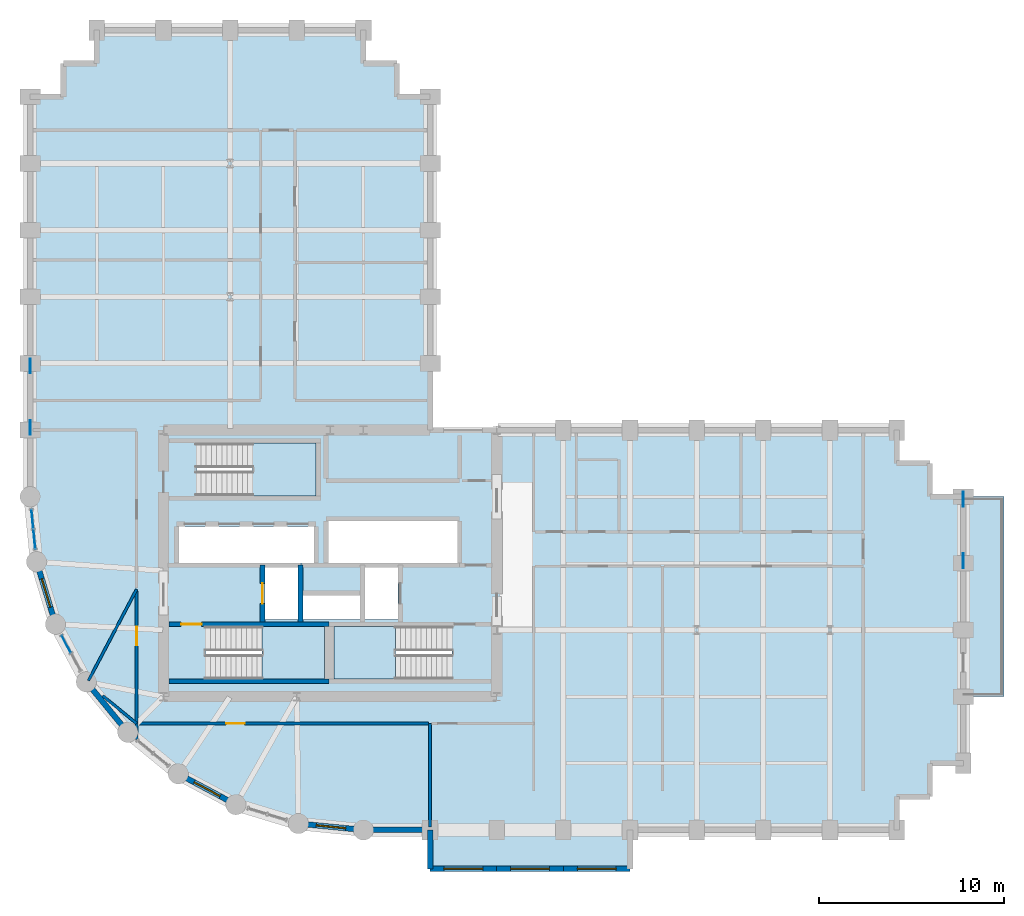
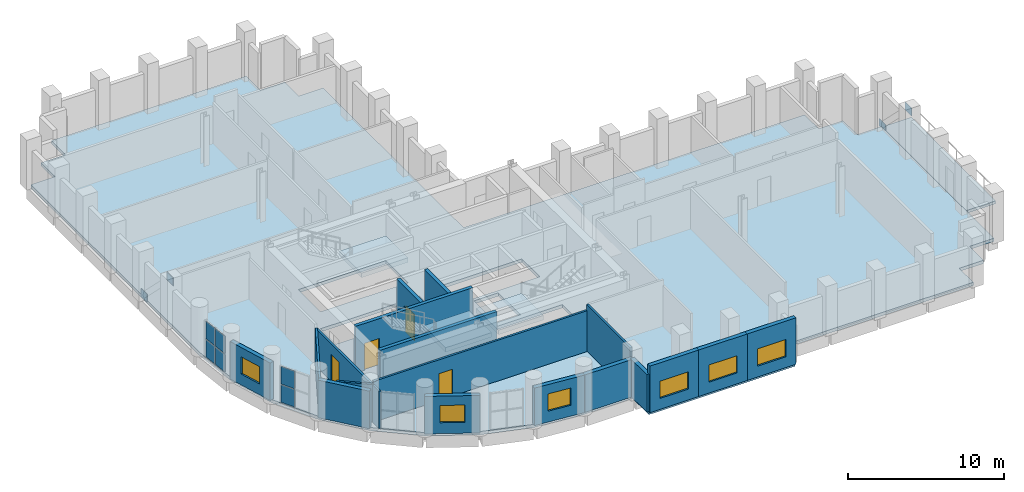
# One storey, part 6 of 11: 18 walls, 10 plates, 6 windows, 5 slabs, 4 doors, 10 openings, 5 elements without a shape of their own.
"""IFC4 building model written with IfcOpenShell, lengths in metres."""

from ifc_helpers import new_model, si_unit, direction, frame, frame_2d, origin, origin_2d, place, context, subcontext, project, spatial, polyline, rectangle, outline, extrude, material, layer, layer_set, type_object, element, fill, aggregate, save


model = new_model("IFC4")

# Units and contexts
model_context = context("Model", 3, precision=1e-05, world=origin(), true_north=direction((0.0, 1.0)))
body_context = subcontext(model_context, "Body", "Model", "MODEL_VIEW")
ifc_project = project(units=[si_unit("LENGTHUNIT", "METRE"), si_unit("AREAUNIT", "SQUARE_METRE"), si_unit("VOLUMEUNIT", "CUBIC_METRE"), si_unit("PLANEANGLEUNIT", "RADIAN"), si_unit("MASSUNIT", "GRAM", prefix="KILO")], contexts=[model_context])

# Site, building, storey
site_placement = place(None, origin())
site = spatial("IfcSite", under=ifc_project, at=site_placement, CompositionType="ELEMENT")
building_placement = place(site_placement, origin())
building = spatial("IfcBuilding", under=site, at=building_placement, Name="Solnavia Interchange Tower", CompositionType="ELEMENT")
storey_placement = place(building_placement, frame((0.0, 0.0, 99.60009765625)))
storey = spatial("IfcBuildingStorey", under=building, at=storey_placement, Name="L24", CompositionType="ELEMENT", Elevation=99.60009765625)

# Curtain wall, plates
ifc_material_1 = material(Name="Aluminium Alloy 6063-T6", Category="aluminium")
ifc_layer_1 = layer(ifc_material_1, 0.239990234375)
ifc_layer_set_1 = layer_set([ifc_layer_1], Name="Aluminium Alloy 6063-T6")
curtain_wall_type = type_object("IfcCurtainWallType", Name="CurtainWall-Drum-CTW2", PredefinedType="NOTDEFINED", material=ifc_layer_set_1)
curtain_wall_1_placement = place(storey_placement, origin())
curtain_wall_1 = element("IfcCurtainWall", 1, at=curtain_wall_1_placement, inside=storey, type_object=curtain_wall_type, Name="CTW-L24-D53 CTW-2 curtain wall", PredefinedType="NOTDEFINED")
ifc_material_2 = material(Name="Double-Glazed Low-E IGU Glass", Category="glass")
ifc_layer_2 = layer(ifc_material_2, 0.031982421875)
ifc_layer_set_2 = layer_set([ifc_layer_2], Name="Double-Glazed Low-E IGU Glass")
plate_type_1 = type_object("IfcPlateType", Name="CW-Panel-Solar-32", PredefinedType="CURTAIN_PANEL", material=ifc_layer_set_2)
plate_1_placement = place(storey_placement, frame((7.319580078125, 20.38623046875, 0.06494140625), z_axis=(0.0, 0.0, 1.0), x_axis=(0.098045297616, -0.995181953019, 0.0)))
plate_1 = element("IfcPlate", 2, at=plate_1_placement, type_object=plate_type_1, Name="CTW-2 panel 1.1", PredefinedType="CURTAIN_PANEL", context=body_context, shape_type="SweptSolid", body=[
    extrude(rectangle(XDim=1.0146484375, YDim=0.031982421875, at=origin_2d()), origin(), (0.0, 0.0, 1.0), 1.367431640625),
])
plate_2_placement = place(storey_placement, frame((7.319580078125, 20.38623046875, 1.49755859375), z_axis=(0.0, 0.0, 1.0), x_axis=(0.098045297616, -0.995181953019, 0.0)))
plate_2 = element("IfcPlate", 3, at=plate_2_placement, type_object=plate_type_1, Name="CTW-2 panel 1.2", PredefinedType="CURTAIN_PANEL", context=body_context, shape_type="SweptSolid", body=[
    extrude(rectangle(XDim=1.0146484375, YDim=0.031982421875, at=origin_2d()), origin(), (0.0, 0.0, 1.0), 1.367431640625),
])
plate_3_placement = place(storey_placement, frame((7.426513671875, 19.3017578125, 0.06494140625), z_axis=(0.0, 0.0, 1.0), x_axis=(0.098045297616, -0.995181953019, 0.0)))
plate_3 = element("IfcPlate", 4, at=plate_3_placement, type_object=plate_type_1, Name="CTW-2 panel 2.1", PredefinedType="CURTAIN_PANEL", context=body_context, shape_type="SweptSolid", body=[
    extrude(rectangle(XDim=1.0146484375, YDim=0.031982421875, at=origin_2d()), origin(), (0.0, 0.0, 1.0), 1.367431640625),
])
plate_4_placement = place(storey_placement, frame((7.426513671875, 19.3017578125, 1.49755859375), z_axis=(0.0, 0.0, 1.0), x_axis=(0.098045297616, -0.995181953019, 0.0)))
plate_4 = element("IfcPlate", 5, at=plate_4_placement, type_object=plate_type_1, Name="CTW-2 panel 2.2", PredefinedType="CURTAIN_PANEL", context=body_context, shape_type="SweptSolid", body=[
    extrude(rectangle(XDim=1.0146484375, YDim=0.031982421875, at=origin_2d()), origin(), (0.0, 0.0, 1.0), 1.367431640625),
])
aggregate(curtain_wall_1, [plate_1, plate_2, plate_3, plate_4])

curtain_wall_2_placement = place(storey_placement, origin())
curtain_wall_2 = element("IfcCurtainWall", 6, at=curtain_wall_2_placement, inside=storey, type_object=curtain_wall_type, Name="CTW-L24-D55 CTW-2 curtain wall", PredefinedType="NOTDEFINED")
plate_5_placement = place(storey_placement, frame((9.14501953125, 13.636474609375, 0.06494140625), z_axis=(0.0, 0.0, 1.0), x_axis=(0.471536719402, -0.881846427818, 0.0)))
plate_5 = element("IfcPlate", 7, at=plate_5_placement, type_object=plate_type_1, Name="CTW-2 panel 1.1", PredefinedType="CURTAIN_PANEL", context=body_context, shape_type="SweptSolid", body=[
    extrude(rectangle(XDim=1.014404296875, YDim=0.031982421875, at=origin_2d()), origin(), (0.0, 0.0, 1.0), 1.367431640625),
])
plate_6_placement = place(storey_placement, frame((9.14501953125, 13.636474609375, 1.49755859375), z_axis=(0.0, 0.0, 1.0), x_axis=(0.471536719402, -0.881846427818, 0.0)))
plate_6 = element("IfcPlate", 8, at=plate_6_placement, type_object=plate_type_1, Name="CTW-2 panel 1.2", PredefinedType="CURTAIN_PANEL", context=body_context, shape_type="SweptSolid", body=[
    extrude(rectangle(XDim=1.014404296875, YDim=0.031982421875, at=origin_2d()), origin(), (0.0, 0.0, 1.0), 1.367431640625),
])
aggregate(curtain_wall_2, [plate_5, plate_6])

# Plates
ifc_material_3 = material(Name="Steel S460", Category="steel")
ifc_layer_3 = layer(ifc_material_3, 0.035888671875)
ifc_layer_set_3 = layer_set([ifc_layer_3], Name="Steel S460")
plate_type_2 = type_object("IfcPlateType", Name="Plate-Gusset-800x600x36", PredefinedType="USERDEFINED", material=ifc_layer_set_3)
for number, where, z_axis, x_axis, name in (
    (9, (7.199951171875, 28.659912109375, -0.1201171875), (0.0, 0.0, 1.0), (0.0, -1.0, 0.0), "PLT-L24-GP01 Perimeter brace gusset plate"),
    (10, (7.199951171875, 25.340087890625, 3.169921875), (0.0, 0.0, 1.0), (0.0, -1.0, 0.0), "PLT-L24-GP02 Perimeter brace gusset plate"),
    (11, (57.60009765625, 21.4599609375, -0.1201171875), (0.0, 0.0, 1.0), (0.0, -1.0, 0.0), "PLT-L24-GP03 Perimeter brace gusset plate"),
    (12, (57.60009765625, 18.139892578125, 3.169921875), (0.0, 0.0, 1.0), (0.0, -1.0, 0.0), "PLT-L24-GP04 Perimeter brace gusset plate"),
):
    element("IfcPlate", number, at=place(storey_placement, frame(where, z_axis=z_axis, x_axis=x_axis)), inside=storey, type_object=plate_type_2, Name=name, ObjectType="GUSSET PLATE", PredefinedType="USERDEFINED", context=body_context, shape_type="SweptSolid", body=[
        extrude(rectangle(XDim=0.800048828125, YDim=0.035888671875, at=origin_2d()), origin(), (0.0, 0.0, 1.0), 0.60009765625),
    ])

# Stair, slab
ifc_material_4 = material(Name="Concrete C40/50", Category="concrete")
stair_type = type_object("IfcStairType", Name="Stair-Dogleg-RC", PredefinedType="HALF_TURN_STAIR", material=ifc_material_4)
stair_1_placement = place(storey_placement, origin())
stair_1 = element("IfcStair", 13, at=stair_1_placement, inside=storey, type_object=stair_type, Name="L24 Core exit stair 1", PredefinedType="HALF_TURN_STAIR")
ifc_layer_4 = layer(ifc_material_4, 0.35009765625)
ifc_layer_set_4 = layer_set([ifc_layer_4], Name="Concrete C40/50")
slab_type_1 = type_object("IfcSlabType", Name="Slab-StairLanding-350", PredefinedType="LANDING", material=ifc_layer_set_4)
slab_1_placement = place(storey_placement, frame((0.0, 0.0, 1.599853515625)))
slab_1 = element("IfcSlab", 14, at=slab_1_placement, type_object=slab_type_1, Name="ST-1 landing 1", PredefinedType="LANDING", context=body_context, shape_type="SweptSolid", body=[
    extrude(outline(polyline([(19.7080078125, 11.75), (23.10009765625, 11.75), (23.10009765625, 14.590087890625), (19.7080078125, 14.590087890625), (19.7080078125, 11.75)])), origin(), (0.0, 0.0, 1.0), 0.35009765625),
])
aggregate(stair_1, [slab_1])

stair_2_placement = place(storey_placement, origin())
stair_2 = element("IfcStair", 15, at=stair_2_placement, inside=storey, type_object=stair_type, Name="L24 Core exit stair 2", PredefinedType="HALF_TURN_STAIR")
slab_2_placement = place(storey_placement, frame((0.0, 0.0, 1.599853515625)))
slab_2 = element("IfcSlab", 16, at=slab_2_placement, type_object=slab_type_1, Name="ST-2 landing 1", PredefinedType="LANDING", context=body_context, shape_type="SweptSolid", body=[
    extrude(outline(polyline([(23.60009765625, 11.75), (26.94189453125, 11.75), (26.94189453125, 14.590087890625), (23.60009765625, 14.590087890625), (23.60009765625, 11.75)])), origin(), (0.0, 0.0, 1.0), 0.35009765625),
])
aggregate(stair_2, [slab_2])

stair_3_placement = place(storey_placement, origin())
stair_3 = element("IfcStair", 17, at=stair_3_placement, inside=storey, type_object=stair_type, Name="L24 Core exit stair 3", PredefinedType="HALF_TURN_STAIR")
slab_3_placement = place(storey_placement, frame((0.0, 0.0, 1.599853515625)))
slab_3 = element("IfcSlab", 18, at=slab_3_placement, type_object=slab_type_1, Name="ST-3 landing 1", PredefinedType="LANDING", context=body_context, shape_type="SweptSolid", body=[
    extrude(outline(polyline([(19.2080078125, 21.64990234375), (22.64990234375, 21.64990234375), (22.64990234375, 24.489990234375), (19.2080078125, 24.489990234375), (19.2080078125, 21.64990234375)])), origin(), (0.0, 0.0, 1.0), 0.35009765625),
])
aggregate(stair_3, [slab_3])

# Slabs
ifc_layer_5 = layer(ifc_material_4, 0.219970703125)
ifc_layer_set_5 = layer_set([ifc_layer_5], Name="Concrete C40/50")
slab_type_2 = type_object("IfcSlabType", Name="Slab-Terrace-220", PredefinedType="FLOOR", material=ifc_layer_set_5)
slab_4_placement = place(storey_placement, frame((0.0, 0.0, -0.260009765625)))
element("IfcSlab", 19, at=slab_4_placement, inside=storey, type_object=slab_type_2, Name="TER-L24-01 Outdoor spiral terrace slab", PredefinedType="FLOOR", context=body_context, shape_type="SweptSolid", body=[
    extrude(outline(polyline([(57.60009765625, 10.800048828125), (59.800048828125, 10.800048828125), (59.800048828125, 21.60009765625), (57.60009765625, 21.60009765625), (57.60009765625, 10.800048828125)])), origin(), (0.0, 0.0, 1.0), 0.219970703125),
])
ifc_layer_6 = layer(ifc_material_4, 0.25)
ifc_layer_set_6 = layer_set([ifc_layer_6], Name="Concrete C40/50")
slab_type_3 = type_object("IfcSlabType", Name="Slab-Tower-250", PredefinedType="FLOOR", material=ifc_layer_set_6)
slab_5_placement = place(storey_placement, frame((0.0, 0.0, -0.25)))
element("IfcSlab", 20, at=slab_5_placement, inside=storey, type_object=slab_type_3, Name="SLB-L24-01 Structural floor slab", PredefinedType="FLOOR", context=body_context, shape_type="SweptSolid", body=[
    extrude(outline(polyline([(25.199951171875, 3.60009765625), (28.800048828125, 3.60009765625), (28.800048828125, 1.5), (39.60009765625, 1.5), (39.60009765625, 3.60009765625), (54.0, 3.60009765625), (54.0, 5.39990234375), (55.800048828125, 5.39990234375), (55.800048828125, 7.199951171875), (57.60009765625, 7.199951171875), (57.60009765625, 21.60009765625), (55.800048828125, 21.60009765625), (55.800048828125, 23.39990234375), (54.0, 23.39990234375), (54.0, 25.199951171875), (28.800048828125, 25.199951171875), (28.800048828125, 43.199951171875), (27.0, 43.199951171875), (27.0, 45.0), (25.199951171875, 45.0), (25.199951171875, 46.800048828125), (10.800048828125, 46.800048828125), (10.800048828125, 45.0), (9.0, 45.0), (9.0, 43.199951171875), (7.199951171875, 43.199951171875), (7.199951171875, 21.60009765625), (7.5458984375, 18.087890625), (8.570068359375, 14.7119140625), (10.23388671875, 11.60009765625), (12.471923828125, 8.8720703125), (15.199951171875, 6.634033203125), (18.31201171875, 4.969970703125), (21.68798828125, 3.946044921875), (25.199951171875, 3.60009765625)]), holes=[polyline([(16.675048828125, 11.75), (23.10009765625, 11.75), (23.10009765625, 14.590087890625), (16.675048828125, 14.590087890625), (16.675048828125, 11.75)]), polyline([(23.60009765625, 11.75), (29.97509765625, 11.75), (29.97509765625, 14.590087890625), (23.60009765625, 14.590087890625), (23.60009765625, 11.75)]), polyline([(16.175048828125, 21.64990234375), (22.64990234375, 21.64990234375), (22.64990234375, 24.489990234375), (16.175048828125, 24.489990234375), (16.175048828125, 21.64990234375)]), polyline([(19.8798828125, 14.9599609375), (21.679931640625, 14.9599609375), (21.679931640625, 17.780029296875), (19.8798828125, 17.780029296875), (19.8798828125, 14.9599609375)]), polyline([(25.280029296875, 14.9599609375), (27.080078125, 14.9599609375), (27.080078125, 17.780029296875), (25.280029296875, 17.780029296875), (25.280029296875, 14.9599609375)]), polyline([(21.919921875, 14.9599609375), (25.02001953125, 14.9599609375), (25.02001953125, 16.280029296875), (21.919921875, 16.280029296875), (21.919921875, 14.9599609375)]), polyline([(15.219970703125, 18.02001953125), (22.52001953125, 18.02001953125), (22.52001953125, 20.0), (15.219970703125, 20.0), (15.219970703125, 18.02001953125)]), polyline([(23.300048828125, 18.02001953125), (30.280029296875, 18.02001953125), (30.280029296875, 20.300048828125), (23.300048828125, 20.300048828125), (23.300048828125, 18.02001953125)])]), origin(), (0.0, 0.0, 1.0), 0.25),
])

# Walls
ifc_layer_7 = layer(ifc_material_4, 0.300048828125)
ifc_layer_set_7 = layer_set([ifc_layer_7], Name="Concrete C40/50")
wall_type_1 = type_object("IfcWallType", Name="Wall-ExtSpandrel-300", PredefinedType="STANDARD", material=ifc_layer_set_7)
wall_1_placement = place(storey_placement, frame((28.800048828125, 3.60009765625, 0.0), z_axis=(0.0, 0.0, 1.0), x_axis=(-1.0, 0.0, 0.0)))
element("IfcWall", 21, at=wall_1_placement, inside=storey, type_object=wall_type_1, Name="EXW-L24-01 Exterior precast spandrel wall", PredefinedType="STANDARD", context=body_context, shape_type="SweptSolid", body=[
    extrude(rectangle(XDim=3.60009765625, YDim=0.300048828125, at=frame_2d((1.800048828125, 0.0))), origin(), (0.0, 0.0, 1.0), 2.929931640625),
])
wall_2_placement = place(storey_placement, frame((28.800048828125, 3.60009765625, 0.0), z_axis=(0.0, 0.0, 1.0), x_axis=(0.0, -1.0, 0.0)))
element("IfcWall", 22, at=wall_2_placement, inside=storey, type_object=wall_type_1, Name="EXW-L24-02 Exterior precast spandrel wall", PredefinedType="STANDARD", context=body_context, shape_type="SweptSolid", body=[
    extrude(rectangle(XDim=2.10009765625, YDim=0.300048828125, at=frame_2d((1.050048828125, 0.0))), origin(), (0.0, 0.0, 1.0), 2.929931640625),
])

# Wall, opening, window
wall_3_placement = place(storey_placement, frame((32.39990234375, 1.5, 0.0), z_axis=(0.0, 0.0, 1.0), x_axis=(-1.0, 0.0, 0.0)))
wall_3 = element("IfcWall", 23, at=wall_3_placement, inside=storey, type_object=wall_type_1, Name="EXW-L24-03 Exterior precast spandrel wall", PredefinedType="STANDARD", context=body_context, shape_type="SweptSolid", body=[
    extrude(rectangle(XDim=3.599853515625, YDim=0.300048828125, at=frame_2d((1.7998046875, 0.0))), origin(), (0.0, 0.0, 1.0), 3.635009765625),
])
opening_1_placement = place(wall_3_placement, frame((0.75, 0.0, 0.85009765625)))
opening_1 = element("IfcOpeningElement", 24, at=opening_1_placement, cuts=wall_3, Name="Opening WIN-01", PredefinedType="OPENING", context=body_context, shape_type="SweptSolid", body=[
    extrude(rectangle(XDim=2.10009765625, YDim=1.35009765625, at=frame_2d((1.050048828125, 0.675048828125))), frame((0.0, 0.16015625, 0.0), z_axis=(0.0, -1.0, 0.0), x_axis=(1.0, 0.0, 0.0)), (0.0, 0.0, 1.0), 0.320068359375),
])
ifc_material_5 = material(Name="Thermal-Break Aluminium & Low-E Glass", Category="aluminium")
window_type_1 = type_object("IfcWindowType", Name="Window-Ribbon-2100x1350", PartitioningType="SINGLE_PANEL", PredefinedType="WINDOW", material=ifc_material_5)
window_1_placement = place(opening_1_placement, origin())
window_1 = element("IfcWindow", 25, at=window_1_placement, inside=storey, type_object=window_type_1, Name="WIN-L24-03 Facade ribbon window", OverallHeight=1.35009765625, OverallWidth=2.10009765625, PartitioningType="SINGLE_PANEL", PredefinedType="WINDOW", context=body_context, shape_type="SweptSolid", body=[
    extrude(rectangle(XDim=2.10009765625, YDim=1.35009765625, at=frame_2d((1.050048828125, 0.675048828125))), frame((0.0, 0.030029296875, 0.0), z_axis=(0.0, -1.0, 0.0), x_axis=(1.0, 0.0, 0.0)), (0.0, 0.0, 1.0), 0.06005859375),
])
fill(opening_1, window_1)

wall_4_placement = place(storey_placement, frame((36.0, 1.5, 0.0), z_axis=(0.0, 0.0, 1.0), x_axis=(-1.0, 0.0, 0.0)))
wall_4 = element("IfcWall", 26, at=wall_4_placement, inside=storey, type_object=wall_type_1, Name="EXW-L24-04 Exterior precast spandrel wall", PredefinedType="STANDARD", context=body_context, shape_type="SweptSolid", body=[
    extrude(rectangle(XDim=3.60009765625, YDim=0.300048828125, at=frame_2d((1.800048828125, 0.0))), origin(), (0.0, 0.0, 1.0), 3.635009765625),
])
opening_2_placement = place(wall_4_placement, frame((0.75, 0.0, 0.85009765625)))
opening_2 = element("IfcOpeningElement", 27, at=opening_2_placement, cuts=wall_4, Name="Opening WIN-01", PredefinedType="OPENING", context=body_context, shape_type="SweptSolid", body=[
    extrude(rectangle(XDim=2.10009765625, YDim=1.35009765625, at=frame_2d((1.050048828125, 0.675048828125))), frame((0.0, 0.16015625, 0.0), z_axis=(0.0, -1.0, 0.0), x_axis=(1.0, 0.0, 0.0)), (0.0, 0.0, 1.0), 0.320068359375),
])
window_2_placement = place(opening_2_placement, origin())
window_2 = element("IfcWindow", 28, at=window_2_placement, inside=storey, type_object=window_type_1, Name="WIN-L24-04 Facade ribbon window", OverallHeight=1.35009765625, OverallWidth=2.10009765625, PartitioningType="SINGLE_PANEL", PredefinedType="WINDOW", context=body_context, shape_type="SweptSolid", body=[
    extrude(rectangle(XDim=2.10009765625, YDim=1.35009765625, at=frame_2d((1.050048828125, 0.675048828125))), frame((0.0, 0.030029296875, 0.0), z_axis=(0.0, -1.0, 0.0), x_axis=(1.0, 0.0, 0.0)), (0.0, 0.0, 1.0), 0.06005859375),
])
fill(opening_2, window_2)

wall_5_placement = place(storey_placement, frame((39.60009765625, 1.5, 0.0), z_axis=(0.0, 0.0, 1.0), x_axis=(-1.0, 0.0, 0.0)))
wall_5 = element("IfcWall", 29, at=wall_5_placement, inside=storey, type_object=wall_type_1, Name="EXW-L24-05 Exterior precast spandrel wall", PredefinedType="STANDARD", context=body_context, shape_type="SweptSolid", body=[
    extrude(rectangle(XDim=3.60009765625, YDim=0.300048828125, at=frame_2d((1.800048828125, 0.0))), origin(), (0.0, 0.0, 1.0), 3.635009765625),
])
opening_3_placement = place(wall_5_placement, frame((0.75, 0.0, 0.85009765625)))
opening_3 = element("IfcOpeningElement", 30, at=opening_3_placement, cuts=wall_5, Name="Opening WIN-01", PredefinedType="OPENING", context=body_context, shape_type="SweptSolid", body=[
    extrude(rectangle(XDim=2.10009765625, YDim=1.35009765625, at=frame_2d((1.050048828125, 0.675048828125))), frame((0.0, 0.16015625, 0.0), z_axis=(0.0, -1.0, 0.0), x_axis=(1.0, 0.0, 0.0)), (0.0, 0.0, 1.0), 0.320068359375),
])
window_3_placement = place(opening_3_placement, origin())
window_3 = element("IfcWindow", 31, at=window_3_placement, inside=storey, type_object=window_type_1, Name="WIN-L24-05 Facade ribbon window", OverallHeight=1.35009765625, OverallWidth=2.10009765625, PartitioningType="SINGLE_PANEL", PredefinedType="WINDOW", context=body_context, shape_type="SweptSolid", body=[
    extrude(rectangle(XDim=2.10009765625, YDim=1.35009765625, at=frame_2d((1.050048828125, 0.675048828125))), frame((0.0, 0.030029296875, 0.0), z_axis=(0.0, -1.0, 0.0), x_axis=(1.0, 0.0, 0.0)), (0.0, 0.0, 1.0), 0.06005859375),
])
fill(opening_3, window_3)

wall_6_placement = place(storey_placement, frame((8.570068359375, 14.7119140625, 0.0), z_axis=(0.0, 0.0, 1.0), x_axis=(-0.290305086481, 0.956934144423, 0.0)))
wall_6 = element("IfcWall", 32, at=wall_6_placement, inside=storey, type_object=wall_type_1, Name="EXW-L24-54 Exterior precast spandrel wall", PredefinedType="STANDARD", context=body_context, shape_type="SweptSolid", body=[
    extrude(rectangle(XDim=3.52783203125, YDim=0.300048828125, at=frame_2d((1.763916015625, 0.0))), origin(), (0.0, 0.0, 1.0), 2.929931640625),
])
opening_4_placement = place(wall_6_placement, frame((0.964111328125, 0.0, 0.85009765625)))
opening_4 = element("IfcOpeningElement", 33, at=opening_4_placement, cuts=wall_6, Name="Opening WIN-04", PredefinedType="OPENING", context=body_context, shape_type="SweptSolid", body=[
    extrude(rectangle(XDim=1.60009765625, YDim=1.35009765625, at=frame_2d((0.800048828125, 0.675048828125))), frame((0.0, 0.16015625, 0.0), z_axis=(0.0, -1.0, 0.0), x_axis=(1.0, 0.0, 0.0)), (0.0, 0.0, 1.0), 0.320068359375),
])
window_type_2 = type_object("IfcWindowType", Name="Window-Drum-1600x1350", PartitioningType="SINGLE_PANEL", PredefinedType="WINDOW", material=ifc_material_5)
window_4_placement = place(opening_4_placement, origin())
window_4 = element("IfcWindow", 34, at=window_4_placement, inside=storey, type_object=window_type_2, Name="WIN-L24-54 Facade ribbon window", OverallHeight=1.35009765625, OverallWidth=1.60009765625, PartitioningType="SINGLE_PANEL", PredefinedType="WINDOW", context=body_context, shape_type="SweptSolid", body=[
    extrude(rectangle(XDim=1.60009765625, YDim=1.35009765625, at=frame_2d((0.800048828125, 0.675048828125))), frame((0.0, 0.030029296875, 0.0), z_axis=(0.0, -1.0, 0.0), x_axis=(1.0, 0.0, 0.0)), (0.0, 0.0, 1.0), 0.06005859375),
])
fill(opening_4, window_4)

# Wall
wall_7_placement = place(storey_placement, frame((12.471923828125, 8.8720703125, 0.0), z_axis=(0.0, 0.0, 1.0), x_axis=(-0.634258295121, 0.773121216285, 0.0)))
element("IfcWall", 35, at=wall_7_placement, inside=storey, type_object=wall_type_1, Name="EXW-L24-56 Exterior precast spandrel wall", PredefinedType="STANDARD", context=body_context, shape_type="SweptSolid", body=[
    extrude(rectangle(XDim=3.528564453125, YDim=0.300048828125, at=frame_2d((1.76416015625, 0.0))), origin(), (0.0, 0.0, 1.0), 2.929931640625),
])

# Wall, opening, window
wall_8_placement = place(storey_placement, frame((18.31201171875, 4.969970703125, 0.0), z_axis=(0.0, 0.0, 1.0), x_axis=(-0.881846862014, 0.471535907389, 0.0)))
wall_8 = element("IfcWall", 36, at=wall_8_placement, inside=storey, type_object=wall_type_1, Name="EXW-L24-58 Exterior precast spandrel wall", PredefinedType="STANDARD", context=body_context, shape_type="SweptSolid", body=[
    extrude(rectangle(XDim=3.529052734375, YDim=0.300048828125, at=frame_2d((1.7646484375, 0.0))), origin(), (0.0, 0.0, 1.0), 2.929931640625),
])
opening_5_placement = place(wall_8_placement, frame((0.964111328125, 0.0, 0.85009765625)))
opening_5 = element("IfcOpeningElement", 37, at=opening_5_placement, cuts=wall_8, Name="Opening WIN-04", PredefinedType="OPENING", context=body_context, shape_type="SweptSolid", body=[
    extrude(rectangle(XDim=1.60009765625, YDim=1.35009765625, at=frame_2d((0.800048828125, 0.675048828125))), frame((0.0, 0.16015625, 0.0), z_axis=(0.0, -1.0, 0.0), x_axis=(1.0, 0.0, 0.0)), (0.0, 0.0, 1.0), 0.320068359375),
])
window_5_placement = place(opening_5_placement, origin())
window_5 = element("IfcWindow", 38, at=window_5_placement, inside=storey, type_object=window_type_2, Name="WIN-L24-58 Facade ribbon window", OverallHeight=1.35009765625, OverallWidth=1.60009765625, PartitioningType="SINGLE_PANEL", PredefinedType="WINDOW", context=body_context, shape_type="SweptSolid", body=[
    extrude(rectangle(XDim=1.60009765625, YDim=1.35009765625, at=frame_2d((0.800048828125, 0.675048828125))), frame((0.0, 0.030029296875, 0.0), z_axis=(0.0, -1.0, 0.0), x_axis=(1.0, 0.0, 0.0)), (0.0, 0.0, 1.0), 0.06005859375),
])
fill(opening_5, window_5)

wall_9_placement = place(storey_placement, frame((25.199951171875, 3.60009765625, 0.0), z_axis=(0.0, 0.0, 1.0), x_axis=(-0.995183369056, 0.098030923459, 0.0)))
wall_9 = element("IfcWall", 39, at=wall_9_placement, inside=storey, type_object=wall_type_1, Name="EXW-L24-60 Exterior precast spandrel wall", PredefinedType="STANDARD", context=body_context, shape_type="SweptSolid", body=[
    extrude(rectangle(XDim=3.529052734375, YDim=0.300048828125, at=frame_2d((1.7646484375, 0.0))), origin(), (0.0, 0.0, 1.0), 2.929931640625),
])
opening_6_placement = place(wall_9_placement, frame((0.965087890625, 0.0, 0.85009765625)))
opening_6 = element("IfcOpeningElement", 40, at=opening_6_placement, cuts=wall_9, Name="Opening WIN-04", PredefinedType="OPENING", context=body_context, shape_type="SweptSolid", body=[
    extrude(rectangle(XDim=1.60009765625, YDim=1.35009765625, at=frame_2d((0.800048828125, 0.675048828125))), frame((0.0, 0.16015625, 0.0), z_axis=(0.0, -1.0, 0.0), x_axis=(1.0, 0.0, 0.0)), (0.0, 0.0, 1.0), 0.320068359375),
])
window_6_placement = place(opening_6_placement, origin())
window_6 = element("IfcWindow", 41, at=window_6_placement, inside=storey, type_object=window_type_2, Name="WIN-L24-60 Facade ribbon window", OverallHeight=1.35009765625, OverallWidth=1.60009765625, PartitioningType="SINGLE_PANEL", PredefinedType="WINDOW", context=body_context, shape_type="SweptSolid", body=[
    extrude(rectangle(XDim=1.60009765625, YDim=1.35009765625, at=frame_2d((0.800048828125, 0.675048828125))), frame((0.0, 0.030029296875, 0.0), z_axis=(0.0, -1.0, 0.0), x_axis=(1.0, 0.0, 0.0)), (0.0, 0.0, 1.0), 0.06005859375),
])
fill(opening_6, window_6)

# Walls
ifc_material_6 = material(Name="Gypsum Plasterboard & Steel Stud", Category="steel")
ifc_layer_8 = layer(ifc_material_6, 0.14990234375)
ifc_layer_set_8 = layer_set([ifc_layer_8], Name="Gypsum Plasterboard & Steel Stud")
wall_type_2 = type_object("IfcWallType", Name="Wall-Partition-150", PredefinedType="PARTITIONING", material=ifc_layer_set_8)
wall_10_placement = place(storey_placement, frame((28.800048828125, 9.35009765625, 0.0), z_axis=(0.0, 0.0, 1.0), x_axis=(0.0, -1.0, 0.0)))
element("IfcWall", 42, at=wall_10_placement, inside=storey, type_object=wall_type_2, Name="PTW-L24-08 Interior partition wall", PredefinedType="PARTITIONING", context=body_context, shape_type="SweptSolid", body=[
    extrude(rectangle(XDim=5.59619140625, YDim=0.14990234375, at=frame_2d((2.798095703125, 0.0))), origin(), (0.0, 0.0, 1.0), 3.635009765625),
])
wall_11_placement = place(storey_placement, frame((12.949951171875, 9.35009765625, 0.0), z_axis=(0.0, 0.0, 1.0), x_axis=(-0.774315108081, 0.632800216022, 0.0)))
element("IfcWall", 43, at=wall_11_placement, inside=storey, type_object=wall_type_2, Name="PTW-L24-09 Interior partition wall", PredefinedType="PARTITIONING", context=body_context, shape_type="SweptSolid", body=[
    extrude(rectangle(XDim=2.370361328125, YDim=0.14990234375, at=frame_2d((1.18505859375, 0.0))), origin(), (0.0, 0.0, 1.0), 2.929931640625),
])
wall_12_placement = place(storey_placement, frame((12.949951171875, 16.60009765625, 0.0), z_axis=(0.0, 0.0, 1.0), x_axis=(-0.466703496606, -0.88441384332, 0.0)))
element("IfcWall", 44, at=wall_12_placement, inside=storey, type_object=wall_type_2, Name="PTW-L24-10 Interior partition wall", PredefinedType="PARTITIONING", context=body_context, shape_type="SweptSolid", body=[
    extrude(rectangle(XDim=5.5810546875, YDim=0.14990234375, at=frame_2d((2.79052734375, 0.0))), origin(), (0.0, 0.0, 1.0), 2.929931640625),
])

# Wall, opening, door
wall_13_placement = place(storey_placement, frame((12.949951171875, 8.47998046875, 0.0), z_axis=(0.0, 0.0, 1.0), x_axis=(0.0, 1.0, 0.0)))
wall_13 = element("IfcWall", 45, at=wall_13_placement, inside=storey, type_object=wall_type_2, Name="PTW-L24-12 Interior partition wall", PredefinedType="PARTITIONING", context=body_context, shape_type="SweptSolid", body=[
    extrude(rectangle(XDim=8.041015625, YDim=0.14990234375, at=frame_2d((4.0205078125, 0.0))), origin(), (0.0, 0.0, 1.0), 2.929931640625),
])
opening_7_placement = place(wall_13_placement, frame((5.10107421875, 0.0, 0.0)))
opening_7 = element("IfcOpeningElement", 46, at=opening_7_placement, cuts=wall_13, Name="Opening DR-07", PredefinedType="OPENING", context=body_context, shape_type="SweptSolid", body=[
    extrude(rectangle(XDim=1.0, YDim=2.10009765625, at=frame_2d((0.5, 1.050048828125))), frame((0.0, 0.0849609375, 0.0), z_axis=(0.0, -1.0, 0.0), x_axis=(1.0, 0.0, 0.0)), (0.0, 0.0, 1.0), 0.169921875),
])
ifc_material_7 = material(Name="Timber & Acoustic Glazed Office Door", Category="wood")
door_type_1 = type_object("IfcDoorType", Name="Door-Office-1000x2100", OperationType="SINGLE_SWING_RIGHT", PredefinedType="DOOR", material=ifc_material_7)
door_1_placement = place(opening_7_placement, origin())
door_1 = element("IfcDoor", 47, at=door_1_placement, inside=storey, type_object=door_type_1, Name="DR-L24-04 Interior room door", OperationType="SINGLE_SWING_RIGHT", OverallHeight=2.10009765625, OverallWidth=1.0, PredefinedType="DOOR", context=body_context, shape_type="SweptSolid", body=[
    extrude(rectangle(XDim=1.0, YDim=2.10009765625, at=frame_2d((0.5, 1.050048828125))), frame((0.0, 0.02490234375, 0.0), z_axis=(0.0, -1.0, 0.0), x_axis=(1.0, 0.0, 0.0)), (0.0, 0.0, 1.0), 0.050048828125),
])
fill(opening_7, door_1)

wall_14_placement = place(storey_placement, frame((12.949951171875, 9.35009765625, 0.0), z_axis=(0.0, 0.0, 1.0), x_axis=(1.0, 0.0, 0.0)))
wall_14 = element("IfcWall", 48, at=wall_14_placement, inside=storey, type_object=wall_type_2, Name="PTW-L24-13 Interior partition wall", PredefinedType="PARTITIONING", context=body_context, shape_type="SweptSolid", body=[
    extrude(rectangle(XDim=15.77099609375, YDim=0.14990234375, at=frame_2d((7.885498046875, 0.0))), origin(), (0.0, 0.0, 1.0), 3.179931640625),
])
opening_8_placement = place(wall_14_placement, frame((4.8359375, 0.0, 0.0)))
opening_8 = element("IfcOpeningElement", 49, at=opening_8_placement, cuts=wall_14, Name="Opening DR-07", PredefinedType="OPENING", context=body_context, shape_type="SweptSolid", body=[
    extrude(rectangle(XDim=1.0, YDim=2.10009765625, at=frame_2d((0.5, 1.050048828125))), frame((0.0, 0.0849609375, 0.0), z_axis=(0.0, -1.0, 0.0), x_axis=(1.0, 0.0, 0.0)), (0.0, 0.0, 1.0), 0.169921875),
])
door_2_placement = place(opening_8_placement, origin())
door_2 = element("IfcDoor", 50, at=door_2_placement, inside=storey, type_object=door_type_1, Name="DR-L24-05 Interior room door", OperationType="SINGLE_SWING_LEFT", OverallHeight=2.10009765625, OverallWidth=1.0, PredefinedType="DOOR", context=body_context, shape_type="SweptSolid", body=[
    extrude(rectangle(XDim=1.0, YDim=2.10009765625, at=frame_2d((0.5, 1.050048828125))), frame((0.0, 0.02490234375, 0.0), z_axis=(0.0, -1.0, 0.0), x_axis=(1.0, 0.0, 0.0)), (0.0, 0.0, 1.0), 0.050048828125),
])
fill(opening_8, door_2)

# Wall
ifc_layer_9 = layer(ifc_material_4, 0.25)
ifc_layer_set_9 = layer_set([ifc_layer_9], Name="Concrete C40/50")
wall_type_3 = type_object("IfcWallType", Name="Wall-ShaftCore-250", PredefinedType="SHEAR", material=ifc_layer_set_9)
wall_15_placement = place(storey_placement, frame((14.699951171875, 11.625, 0.0), z_axis=(0.0, 0.0, 1.0), x_axis=(1.0, 0.0, 0.0)))
element("IfcWall", 51, at=wall_15_placement, inside=storey, type_object=wall_type_3, Name="SHW-L24-ST1S Core shear wall", PredefinedType="SHEAR", context=body_context, shape_type="SweptSolid", body=[
    extrude(rectangle(XDim=8.650146484375, YDim=0.25, at=frame_2d((4.3251953125, 0.0))), origin(), (0.0, 0.0, 1.0), 3.64990234375),
])

# Wall, opening, door
wall_16_placement = place(storey_placement, frame((14.699951171875, 14.715087890625, 0.0), z_axis=(0.0, 0.0, 1.0), x_axis=(1.0, 0.0, 0.0)))
wall_16 = element("IfcWall", 52, at=wall_16_placement, inside=storey, type_object=wall_type_3, Name="SHW-L24-ST1N Core shear wall", PredefinedType="SHEAR", context=body_context, shape_type="SweptSolid", body=[
    extrude(rectangle(XDim=8.650146484375, YDim=0.25, at=frame_2d((4.3251953125, 0.0))), origin(), (0.0, 0.0, 1.0), 3.64990234375),
])
opening_9_placement = place(wall_16_placement, frame((0.655029296875, 0.0, 0.0)))
opening_9 = element("IfcOpeningElement", 53, at=opening_9_placement, cuts=wall_16, Name="Opening DR-01", PredefinedType="OPENING", context=body_context, shape_type="SweptSolid", body=[
    extrude(rectangle(XDim=1.10009765625, YDim=2.10009765625, at=frame_2d((0.550048828125, 1.050048828125))), frame((0.0, 0.135009765625, 0.0), z_axis=(0.0, -1.0, 0.0), x_axis=(1.0, 0.0, 0.0)), (0.0, 0.0, 1.0), 0.27001953125),
])
ifc_material_8 = material(Name="Steel Fire-Rated Leaf & Frame", Category="steel")
door_type_2 = type_object("IfcDoorType", Name="Door-StairFire-1100x2100", OperationType="SINGLE_SWING_LEFT", PredefinedType="DOOR", material=ifc_material_8)
door_3_placement = place(opening_9_placement, origin())
door_3 = element("IfcDoor", 54, at=door_3_placement, inside=storey, type_object=door_type_2, Name="DR-L24-ST1 Core fire door", OperationType="SINGLE_SWING_LEFT", OverallHeight=2.10009765625, OverallWidth=1.10009765625, PredefinedType="DOOR", context=body_context, shape_type="SweptSolid", body=[
    extrude(rectangle(XDim=1.10009765625, YDim=2.10009765625, at=frame_2d((0.550048828125, 1.050048828125))), frame((0.0, 0.02490234375, 0.0), z_axis=(0.0, -1.0, 0.0), x_axis=(1.0, 0.0, 0.0)), (0.0, 0.0, 1.0), 0.050048828125),
])
fill(opening_9, door_3)

ifc_layer_10 = layer(ifc_material_4, 0.25)
ifc_layer_set_10 = layer_set([ifc_layer_10], Name="Concrete C40/50")
wall_type_4 = type_object("IfcWallType", Name="Wall-ShaftPart-250", PredefinedType="PARTITIONING", material=ifc_layer_set_10)
wall_17_placement = place(storey_placement, frame((19.75, 14.840087890625, 0.0), z_axis=(0.0, 0.0, 1.0), x_axis=(0.0, 1.0, 0.0)))
wall_17 = element("IfcWall", 55, at=wall_17_placement, inside=storey, type_object=wall_type_4, Name="SHW-L24-FFL1-W Core shaft wall", PredefinedType="PARTITIONING", context=body_context, shape_type="SweptSolid", body=[
    extrude(rectangle(XDim=3.059814453125, YDim=0.25, at=frame_2d((1.52978515625, 0.0))), origin(), (0.0, 0.0, 1.0), 3.635009765625),
])
opening_10_placement = place(wall_17_placement, frame((0.97998046875, 0.0, 0.0)))
opening_10 = element("IfcOpeningElement", 56, at=opening_10_placement, cuts=wall_17, Name="Opening LD-01", PredefinedType="OPENING", context=body_context, shape_type="SweptSolid", body=[
    extrude(rectangle(XDim=1.10009765625, YDim=2.10009765625, at=frame_2d((0.550048828125, 1.050048828125))), frame((0.0, 0.135009765625, 0.0), z_axis=(0.0, -1.0, 0.0), x_axis=(1.0, 0.0, 0.0)), (0.0, 0.0, 1.0), 0.27001953125),
])
ifc_material_9 = material(Name="Brushed Stainless Steel Sliding Door", Category="steel")
door_type_3 = type_object("IfcDoorType", Name="Door-LiftLanding-1100x2100", OperationType="SLIDING_TO_LEFT", PredefinedType="DOOR", material=ifc_material_9)
door_4_placement = place(opening_10_placement, origin())
door_4 = element("IfcDoor", 57, at=door_4_placement, inside=storey, type_object=door_type_3, Name="LD-L24-FFL1 Lift landing sliding door", OperationType="SLIDING_TO_LEFT", OverallHeight=2.10009765625, OverallWidth=1.10009765625, PredefinedType="DOOR", context=body_context, shape_type="SweptSolid", body=[
    extrude(rectangle(XDim=1.10009765625, YDim=2.10009765625, at=frame_2d((0.550048828125, 1.050048828125))), frame((0.0, 0.02490234375, 0.0), z_axis=(0.0, -1.0, 0.0), x_axis=(1.0, 0.0, 0.0)), (0.0, 0.0, 1.0), 0.050048828125),
])
fill(opening_10, door_4)

# Wall
wall_18_placement = place(storey_placement, frame((21.800048828125, 14.840087890625, 0.0), z_axis=(0.0, 0.0, 1.0), x_axis=(0.0, 1.0, 0.0)))
element("IfcWall", 58, at=wall_18_placement, inside=storey, type_object=wall_type_4, Name="SHW-L24-FFL1-E Core shaft wall", PredefinedType="PARTITIONING", context=body_context, shape_type="SweptSolid", body=[
    extrude(rectangle(XDim=3.059814453125, YDim=0.25, at=frame_2d((1.52978515625, 0.0))), origin(), (0.0, 0.0, 1.0), 3.635009765625),
])

save(model, "model.ifc")
